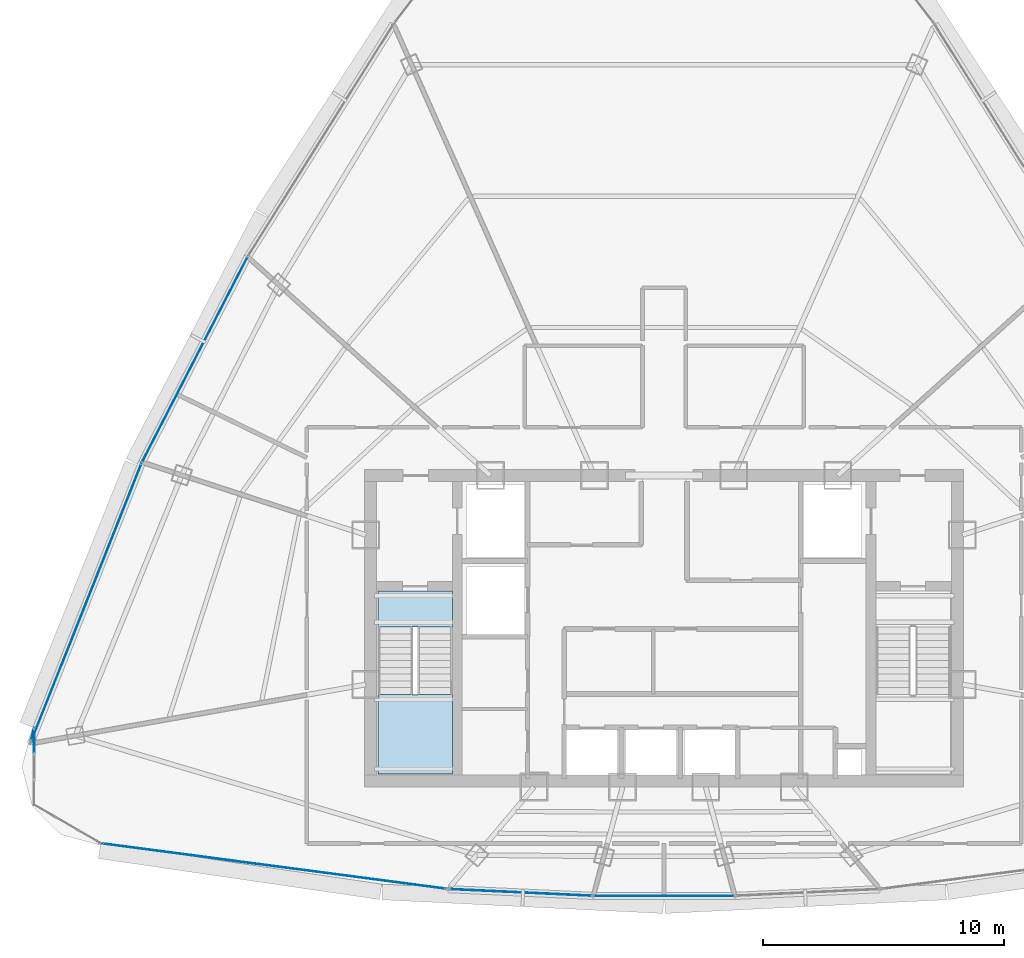
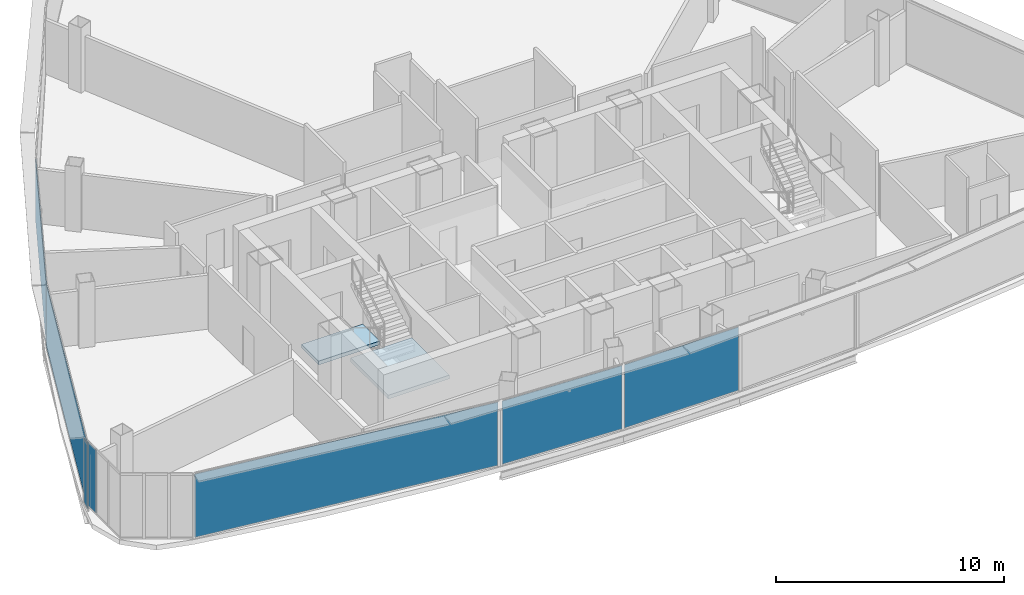
# One storey, part 21 of 29: 7 plates, 2 slabs, 8 elements without a shape of their own.
"""IFC4 building model written with IfcOpenShell, lengths in metres."""

from ifc_helpers import new_model, si_unit, direction, frame, origin, origin_2d, place, context, subcontext, project, spatial, polyline, rectangle, outline, extrude, source, transform, mapped, material, layer, layer_set, type_object, element, aggregate, save


model = new_model("IFC4")

# Units and contexts
model_context = context("Model", 3, precision=1e-05, world=origin(), true_north=direction((0.0, 1.0)))
body_context = subcontext(model_context, "Body", "Model", "MODEL_VIEW")
ifc_project = project(units=[si_unit("LENGTHUNIT", "METRE"), si_unit("AREAUNIT", "SQUARE_METRE"), si_unit("VOLUMEUNIT", "CUBIC_METRE"), si_unit("PLANEANGLEUNIT", "RADIAN"), si_unit("MASSUNIT", "GRAM", prefix="KILO"), si_unit("THERMODYNAMICTEMPERATUREUNIT", "KELVIN"), si_unit("POWERUNIT", "WATT")], contexts=[model_context])

# Site, building, storey
site_placement = place(None, origin())
site = spatial("IfcSite", under=ifc_project, at=site_placement, CompositionType="ELEMENT")
building_placement = place(site_placement, origin())
building = spatial("IfcBuilding", under=site, at=building_placement, Name="Yunzhuo Pagoda Commons", CompositionType="ELEMENT")
storey_placement = place(building_placement, frame((0.0, 0.0, 359.260009765625)))
storey = spatial("IfcBuildingStorey", under=building, at=storey_placement, Name="L90", CompositionType="ELEMENT", Elevation=359.260009765625)

# Stair, slabs
ifc_material_1 = material(Name="Concrete C40", Category="concrete")
stair_type = type_object("IfcStairType", Name="ST-C1 Core Smokeproof Stair ST1", PredefinedType="HALF_TURN_STAIR", material=ifc_material_1)
stair_placement = place(storey_placement, origin())
stair = element("IfcStair", 1, at=stair_placement, inside=storey, type_object=stair_type, Name="L90 Core smokeproof stair ST1", PredefinedType="HALF_TURN_STAIR")
ifc_layer_1 = layer(ifc_material_1, 0.199951171875)
ifc_layer_set_1 = layer_set([ifc_layer_1], Name="Concrete C40")
slab_type = type_object("IfcSlabType", Name="SL-LND1 Stair Landing Slab 200", PredefinedType="LANDING", material=ifc_layer_set_1)
slab_1_placement = place(storey_placement, frame((0.0, 0.0, 1.675048828125)))
slab_1 = element("IfcSlab", 2, at=slab_1_placement, type_object=slab_type, Name="ST1 landing 1", PredefinedType="LANDING", context=body_context, shape_type="SweptSolid", body=[
    extrude(outline(polyline([(36.10009765625, 31.10009765625), (36.10009765625, 27.800048828125), (39.199951171875, 27.800048828125), (39.199951171875, 31.10009765625), (36.10009765625, 31.10009765625)])), origin(), (0.0, 0.0, 1.0), 0.199951171875),
])
slab_2_placement = place(storey_placement, frame((0.0, 0.0, -0.199951171875)))
slab_2 = element("IfcSlab", 3, at=slab_2_placement, type_object=slab_type, Name="ST1 floor landing L90", PredefinedType="LANDING", context=body_context, shape_type="SweptSolid", body=[
    extrude(outline(polyline([(36.10009765625, 35.39990234375), (36.10009765625, 33.89990234375), (39.199951171875, 33.89990234375), (39.199951171875, 35.39990234375), (36.10009765625, 35.39990234375)])), origin(), (0.0, 0.0, 1.0), 0.199951171875),
])
aggregate(stair, [slab_1, slab_2])

# Curtain wall, plate
ifc_material_2 = material(Name="Anodized aluminium 6063-T6", Category="aluminium")
ifc_layer_2 = layer(ifc_material_2, 0.139892578125)
ifc_layer_set_2 = layer_set([ifc_layer_2], Name="Anodized aluminium 6063-T6")
curtain_wall_type_1 = type_object("IfcCurtainWallType", Name="CW-HI High-Zone Ribbon Curtain Wall", PredefinedType="NOTDEFINED", material=ifc_layer_set_2)
curtain_wall_1_placement = place(storey_placement, origin())
curtain_wall_1 = element("IfcCurtainWall", 4, at=curtain_wall_1_placement, inside=storey, type_object=curtain_wall_type_1, Name="L90 curtain wall CW-L90-F1B2", PredefinedType="NOTDEFINED")
ifc_material_3 = material(Name="Tempered low-e double glazing", Category="glass")
ifc_layer_3 = layer(ifc_material_3, 0.02587890625)
ifc_layer_set_3 = layer_set([ifc_layer_3], Name="Tempered low-e double glazing")
plate_type_1 = type_object("IfcPlateType", Name="CW-HI-P Low-E Double Glazing 26", PredefinedType="CURTAIN_PANEL", material=ifc_layer_set_3)
shared_shape_1 = source(origin(), body_context, "Body", "SweptSolid", [
    extrude(rectangle(XDim=5.919189453125, YDim=0.028076171875, at=origin_2d()), origin(), (0.0, 0.0, 1.0), 3.3798828125),
])
plate_1_placement = place(storey_placement, frame((42.04248046875, 22.8642578125, 0.054931640625), z_axis=(0.0, 0.0, 1.0), x_axis=(0.998908420017, -0.046711544825, 0.0)))
plate_1 = element("IfcPlate", 5, at=plate_1_placement, type_object=plate_type_1, Name="CW panel 1.1", PredefinedType="CURTAIN_PANEL", context=body_context, shape_type="MappedRepresentation", body=[
    mapped(shared_shape_1, transform((0.0, 0.0, 0.0), scale=1.0)),
])
aggregate(curtain_wall_1, [plate_1])

curtain_wall_2_placement = place(storey_placement, origin())
curtain_wall_2 = element("IfcCurtainWall", 6, at=curtain_wall_2_placement, inside=storey, type_object=curtain_wall_type_1, Name="L90 curtain wall CW-L90-F1B3", PredefinedType="NOTDEFINED")
shared_shape_2 = source(origin(), body_context, "Body", "SweptSolid", [
    extrude(rectangle(XDim=5.762451171875, YDim=0.028076171875, at=origin_2d()), origin(), (0.0, 0.0, 1.0), 3.3798828125),
])
plate_2_placement = place(storey_placement, frame((48.0, 22.723388671875, 0.054931640625), z_axis=(0.0, 0.0, 1.0), x_axis=(1.0, 0.0, 0.0)))
plate_2 = element("IfcPlate", 7, at=plate_2_placement, type_object=plate_type_1, Name="CW panel 1.1", PredefinedType="CURTAIN_PANEL", context=body_context, shape_type="MappedRepresentation", body=[
    mapped(shared_shape_2, transform((0.0, 0.0, 0.0), scale=1.0)),
])
aggregate(curtain_wall_2, [plate_2])

curtain_wall_3_placement = place(storey_placement, origin())
curtain_wall_3 = element("IfcCurtainWall", 8, at=curtain_wall_3_placement, inside=storey, type_object=curtain_wall_type_1, Name="L90 curtain wall CW-L90-F1B1", PredefinedType="NOTDEFINED")
shared_shape_3 = source(origin(), body_context, "Body", "SweptSolid", [
    extrude(rectangle(XDim=14.375244140625, YDim=0.028076171875, at=origin_2d()), origin(), (0.0, 0.0, 1.0), 3.3798828125),
])
plate_3_placement = place(storey_placement, frame((31.76611328125, 23.9609375, 0.054931640625), z_axis=(0.0, 0.0, 1.0), x_axis=(0.991447578534, -0.130505551679, 0.0)))
plate_3 = element("IfcPlate", 9, at=plate_3_placement, type_object=plate_type_1, Name="CW panel 1.1", PredefinedType="CURTAIN_PANEL", context=body_context, shape_type="MappedRepresentation", body=[
    mapped(shared_shape_3, transform((0.0, 0.0, 0.0), scale=1.0)),
])
aggregate(curtain_wall_3, [plate_3])

curtain_wall_4_placement = place(storey_placement, origin())
curtain_wall_4 = element("IfcCurtainWall", 10, at=curtain_wall_4_placement, inside=storey, type_object=curtain_wall_type_1, Name="L90 curtain wall CW-L90-F3B4", PredefinedType="NOTDEFINED")
shared_shape_4 = source(origin(), body_context, "Body", "SweptSolid", [
    extrude(rectangle(XDim=12.46630859375, YDim=0.028076171875, at=origin_2d()), origin(), (0.0, 0.0, 1.0), 3.3798828125),
])
plate_4_placement = place(storey_placement, frame((23.973388671875, 34.903076171875, 0.054931640625), z_axis=(0.0, 0.0, 1.0), x_axis=(-0.368970270902, -0.929441197274, 0.0)))
plate_4 = element("IfcPlate", 11, at=plate_4_placement, type_object=plate_type_1, Name="CW panel 1.1", PredefinedType="CURTAIN_PANEL", context=body_context, shape_type="MappedRepresentation", body=[
    mapped(shared_shape_4, transform((0.0, 0.0, 0.0), scale=1.0)),
])
aggregate(curtain_wall_4, [plate_4])

curtain_wall_5_placement = place(storey_placement, origin())
curtain_wall_5 = element("IfcCurtainWall", 12, at=curtain_wall_5_placement, inside=storey, type_object=curtain_wall_type_1, Name="L90 curtain wall CW-L90-F3B3", PredefinedType="NOTDEFINED")
shared_shape_5 = source(origin(), body_context, "Body", "SweptSolid", [
    extrude(rectangle(XDim=9.480224609375, YDim=0.028076171875, at=origin_2d()), origin(), (0.0, 0.0, 1.0), 3.3798828125),
])
plate_5_placement = place(storey_placement, frame((28.490478515625, 45.021240234375, 0.054931640625), z_axis=(0.0, 0.0, 1.0), x_axis=(-0.457276461979, -0.889324596151, 0.0)))
plate_5 = element("IfcPlate", 13, at=plate_5_placement, type_object=plate_type_1, Name="CW panel 1.1", PredefinedType="CURTAIN_PANEL", context=body_context, shape_type="MappedRepresentation", body=[
    mapped(shared_shape_5, transform((0.0, 0.0, 0.0), scale=1.0)),
])
aggregate(curtain_wall_5, [plate_5])

curtain_wall_6_placement = place(storey_placement, origin())
curtain_wall_6 = element("IfcCurtainWall", 14, at=curtain_wall_6_placement, inside=storey, type_object=curtain_wall_type_1, Name="L90 curtain wall CW-L90-F3B5", PredefinedType="NOTDEFINED")
shared_shape_6 = source(origin(), body_context, "Body", "SweptSolid", [
    extrude(rectangle(XDim=0.4892578125, YDim=0.028076171875, at=origin_2d()), origin(), (0.0, 0.0, 1.0), 3.3798828125),
])
plate_6_placement = place(storey_placement, frame((21.744140625, 29.422119140625, 0.054931640625), z_axis=(0.0, 0.0, 1.0), x_axis=(0.244234544564, 0.969716189017, 0.0)))
plate_6 = element("IfcPlate", 15, at=plate_6_placement, type_object=plate_type_1, Name="CW panel 1.1", PredefinedType="CURTAIN_PANEL", context=body_context, shape_type="MappedRepresentation", body=[
    mapped(shared_shape_6, transform((0.0, 0.0, 0.0), scale=1.0)),
])
aggregate(curtain_wall_6, [plate_6])

ifc_layer_4 = layer(ifc_material_2, 0.1298828125)
ifc_layer_set_4 = layer_set([ifc_layer_4], Name="Anodized aluminium 6063-T6")
curtain_wall_type_2 = type_object("IfcCurtainWallType", Name="CW-VTX Rounded Corner Curtain Wall", PredefinedType="NOTDEFINED", material=ifc_layer_set_4)
curtain_wall_7_placement = place(storey_placement, origin())
curtain_wall_7 = element("IfcCurtainWall", 16, at=curtain_wall_7_placement, inside=storey, type_object=curtain_wall_type_2, Name="L90 curtain wall CW-L90-VTX1S1", PredefinedType="NOTDEFINED")
ifc_layer_5 = layer(ifc_material_3, 0.02587890625)
ifc_layer_set_5 = layer_set([ifc_layer_5], Name="Tempered low-e double glazing")
plate_type_2 = type_object("IfcPlateType", Name="CW-VTX-P Low-E Double Glazing 26", PredefinedType="CURTAIN_PANEL", material=ifc_layer_set_5)
shared_shape_7 = source(origin(), body_context, "Body", "SweptSolid", [
    extrude(rectangle(XDim=1.001220703125, YDim=0.028076171875, at=origin_2d()), origin(), (0.0, 0.0, 1.0), 3.3798828125),
])
plate_7_placement = place(storey_placement, frame((21.81640625, 29.161865234375, 0.054931640625), z_axis=(0.0, 0.0, 1.0), x_axis=(-0.003598647958, -0.999993524845, 0.0)))
plate_7 = element("IfcPlate", 17, at=plate_7_placement, type_object=plate_type_2, Name="CW panel 1.1", PredefinedType="CURTAIN_PANEL", context=body_context, shape_type="MappedRepresentation", body=[
    mapped(shared_shape_7, transform((0.0, 0.0, 0.0), scale=1.0)),
])
aggregate(curtain_wall_7, [plate_7])

save(model, "model.ifc")
